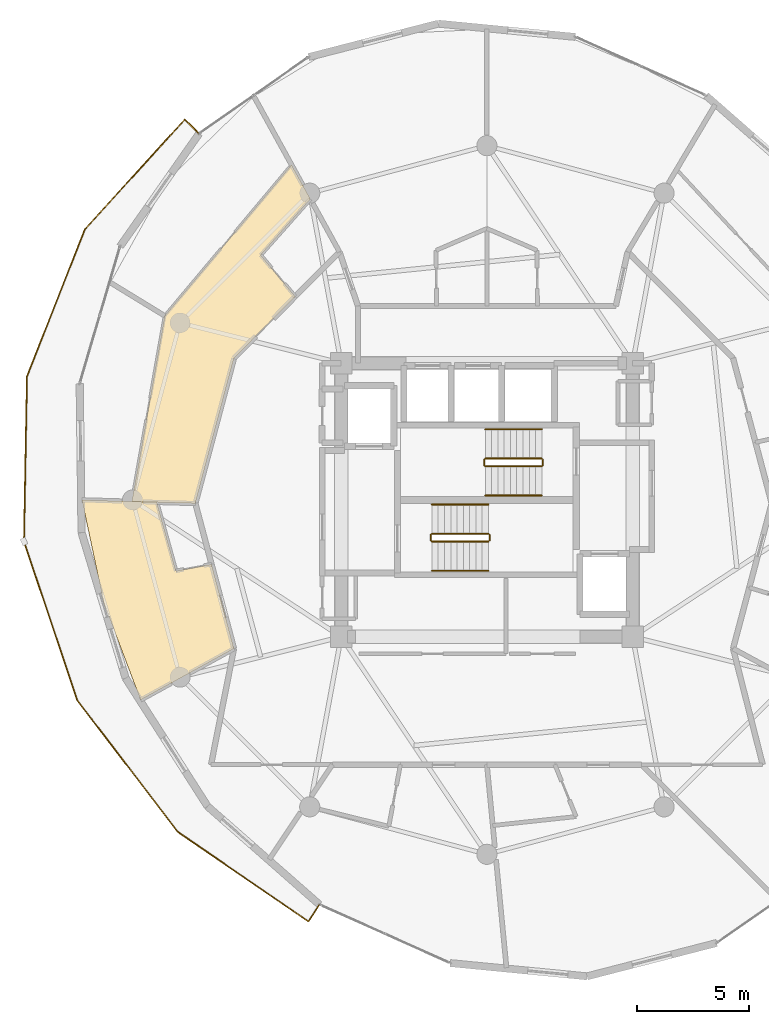
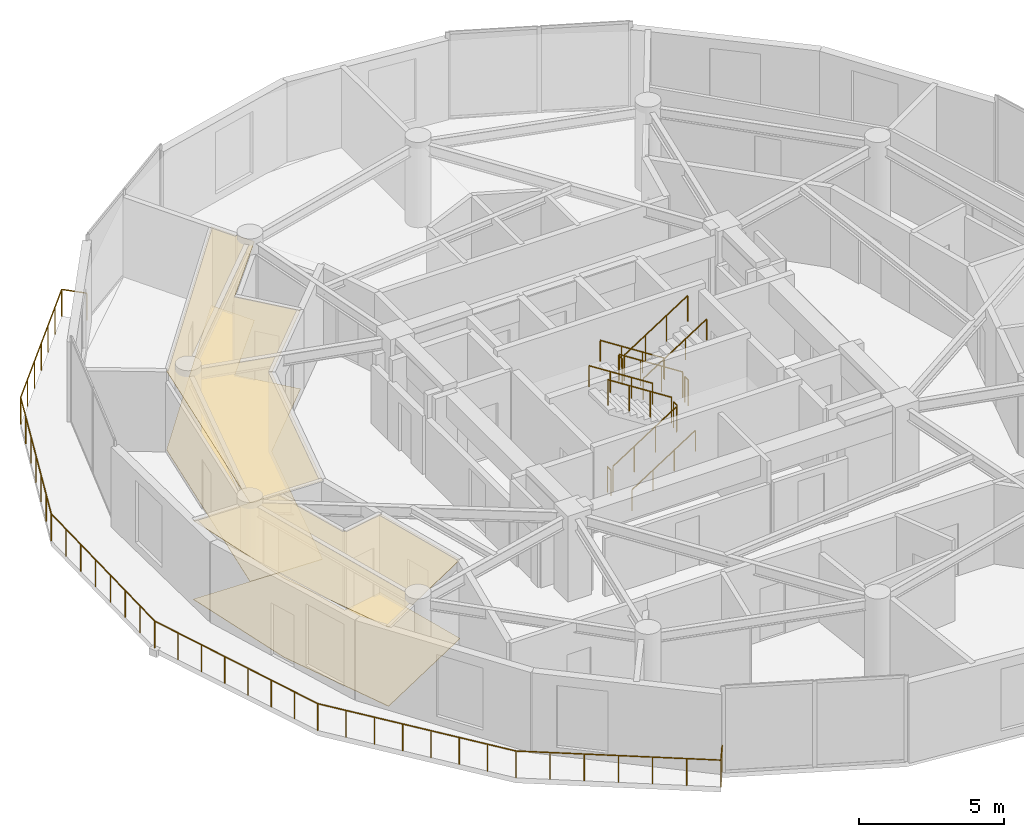
# One storey, part 20 of 21: 13 railings, 4 coverings.
"""IFC4 building model written with IfcOpenShell, lengths in metres."""

from ifc_helpers import new_model, si_unit, direction, frame, origin, origin_2d, place, context, subcontext, project, spatial, polyline, circle, outline, extrude, material, layer, layer_set, type_object, element, save


model = new_model("IFC4")

# Units and contexts
model_context = context("Model", 3, precision=1e-05, world=origin(), true_north=direction((0.0, 1.0)))
body_context = subcontext(model_context, "Body", "Model", "MODEL_VIEW")
ifc_project = project(units=[si_unit("LENGTHUNIT", "METRE"), si_unit("AREAUNIT", "SQUARE_METRE"), si_unit("VOLUMEUNIT", "CUBIC_METRE"), si_unit("PLANEANGLEUNIT", "RADIAN"), si_unit("MASSUNIT", "GRAM", prefix="KILO")], contexts=[model_context])

# Site, building, storey
site_placement = place(None, origin())
site = spatial("IfcSite", under=ifc_project, at=site_placement, CompositionType="ELEMENT")
building_placement = place(site_placement, origin())
building = spatial("IfcBuilding", under=site, at=building_placement, Name="Solvirekh Grand Hotel", CompositionType="ELEMENT")
storey_placement = place(building_placement, frame((0.0, 0.0, 205.60009765625)))
storey = spatial("IfcBuildingStorey", under=building, at=storey_placement, Name="L53", CompositionType="ELEMENT", Elevation=205.60009765625)

# Coverings
ifc_material_1 = material(Name="Acoustic Mineral Ceiling Tile")
ifc_layer_1 = layer(ifc_material_1, 0.02490234375)
ifc_layer_set_1 = layer_set([ifc_layer_1], Name="Acoustic Mineral Ceiling Tile")
covering_type_1 = type_object("IfcCoveringType", Name="Cov_Ceiling_Acoustic", PredefinedType="CEILING", material=ifc_layer_set_1)
covering_1_placement = place(storey_placement, frame((0.0, 0.0, 3.309814453125)))
element("IfcCovering", 1, at=covering_1_placement, inside=storey, type_object=covering_type_1, Name="L53 Executive Suite 5503 Living Room acoustic ceiling", PredefinedType="CEILING", context=body_context, shape_type="SweptSolid", body=[
    extrude(outline(polyline([(-10.090087890625, 10.922119140625), (-7.8720703125, 13.422119140625), (-8.7119140625, 14.947021484375), (-14.364990234375, 8.2119140625), (-15.830078125, -0.06591796875), (-13.0, -0.14990234375), (-11.278076171875, 6.324951171875), (-8.550048828125, 9.073974609375), (-10.090087890625, 10.922119140625)])), origin(), (0.0, 0.0, 1.0), 0.01806640625),
])
covering_2_placement = place(storey_placement, frame((0.0, 0.0, 3.309814453125)))
element("IfcCovering", 2, at=covering_2_placement, inside=storey, type_object=covering_type_1, Name="L53 Deluxe Guestroom 5504 acoustic ceiling", PredefinedType="CEILING", context=body_context, shape_type="SweptSolid", body=[
    extrude(outline(polyline([(-13.867919921875, -3.1669921875), (-14.718017578125, -0.09912109375), (-18.052978515625, 0.0), (-17.0859375, -4.577880859375), (-15.44091796875, -8.9150390625), (-11.278076171875, -6.625), (-12.277099609375, -2.868896484375), (-13.867919921875, -3.1669921875)])), origin(), (0.0, 0.0, 1.0), 0.01806640625),
])
ifc_material_2 = material(Name="Porcelain Stoneware Flooring", Category="masonry")
ifc_layer_2 = layer(ifc_material_2, 0.030029296875)
ifc_layer_set_2 = layer_set([ifc_layer_2], Name="Porcelain Stoneware Flooring")
covering_type_2 = type_object("IfcCoveringType", Name="Cov_Floor_Stone", PredefinedType="FLOORING", material=ifc_layer_set_2)
covering_3_placement = place(storey_placement, origin())
element("IfcCovering", 3, at=covering_3_placement, inside=storey, type_object=covering_type_2, Name="L53 Executive Suite 5503 Living Room polished granite flooring", PredefinedType="FLOORING", context=body_context, shape_type="SweptSolid", body=[
    extrude(outline(polyline([(-10.090087890625, 10.922119140625), (-7.8720703125, 13.422119140625), (-8.7119140625, 14.947021484375), (-14.364990234375, 8.2119140625), (-15.830078125, -0.06591796875), (-13.0, -0.14990234375), (-11.278076171875, 6.324951171875), (-8.550048828125, 9.073974609375), (-10.090087890625, 10.922119140625)])), origin(), (0.0, 0.0, 1.0), 0.02001953125),
])
covering_4_placement = place(storey_placement, origin())
element("IfcCovering", 4, at=covering_4_placement, inside=storey, type_object=covering_type_2, Name="L53 Deluxe Guestroom 5504 polished granite flooring", PredefinedType="FLOORING", context=body_context, shape_type="SweptSolid", body=[
    extrude(outline(polyline([(-13.867919921875, -3.1669921875), (-14.718017578125, -0.09912109375), (-18.052978515625, 0.0), (-17.0859375, -4.577880859375), (-15.44091796875, -8.9150390625), (-11.278076171875, -6.625), (-12.277099609375, -2.868896484375), (-13.867919921875, -3.1669921875)])), origin(), (0.0, 0.0, 1.0), 0.02001953125),
])

# Railings
ifc_material_3 = material(Name="Anodized Bronze Aluminium 6063-T6", Category="aluminium")
railing_type_1 = type_object("IfcRailingType", Name="Guard_ExtGlass_1150", PredefinedType="BALUSTRADE", material=ifc_material_3)
railing_1_placement = place(storey_placement, frame((-12.833984375, 16.3349609375, 0.0)))
element("IfcRailing", 5, at=railing_1_placement, inside=storey, type_object=railing_type_1, Name="L53 balc perimeter glass balustrade", PredefinedType="BALUSTRADE", context=body_context, shape_type="SweptSolid", body=[
    extrude(circle(Radius=0.02392578125, at=origin_2d()), frame((0.0, 0.0, 1.1259765625), z_axis=(-0.708191714874, 0.706020180295, 0.0), x_axis=(-0.706020180295, -0.708191714874, 0.0)), (0.0, 0.0, 1.0), 0.8994140625),
    extrude(circle(Radius=0.02392578125, at=origin_2d()), frame((-0.636962890625, 0.635009765625, 1.1259765625), z_axis=(-0.673061392528, -0.739586615542, 0.0), x_axis=(0.739586615542, -0.673061392528, 0.0)), (0.0, 0.0, 1.0), 6.6279296875),
    extrude(circle(Radius=0.02392578125, at=origin_2d()), frame((-5.097900390625, -4.266845703125, 1.1259765625), z_axis=(-0.3654756856, -0.930820886763, 0.0), x_axis=(0.930820886763, -0.3654756856, 0.0)), (0.0, 0.0, 1.0), 7.05419921875),
    extrude(circle(Radius=0.02392578125, at=origin_2d()), frame((-7.676025390625, -10.8330078125, 1.1259765625), z_axis=(-0.018222855008, -0.999833949991, 0.0), x_axis=(0.999833949991, -0.018222855008, 0.0)), (0.0, 0.0, 1.0), 7.355224609375),
    extrude(circle(Radius=0.02392578125, at=origin_2d()), frame((-7.81005859375, -18.18701171875, 1.1259765625), z_axis=(0.318411947181, -0.947952441788, 0.0), x_axis=(0.947952441788, 0.318411947181, 0.0)), (0.0, 0.0, 1.0), 7.47509765625),
    extrude(circle(Radius=0.02392578125, at=origin_2d()), frame((-5.429931640625, -25.27294921875, 1.1259765625), z_axis=(0.607296576721, -0.794475215411, 0.0), x_axis=(0.794475215411, 0.607296576721, 0.0)), (0.0, 0.0, 1.0), 7.37841796875),
    extrude(circle(Radius=0.02392578125, at=origin_2d()), frame((-0.948974609375, -31.135009765625, 1.1259765625), z_axis=(0.824675444884, -0.56560623282, 0.0), x_axis=(0.56560623282, 0.824675444884, 0.0)), (0.0, 0.0, 1.0), 7.06689453125),
    extrude(circle(Radius=0.02392578125, at=origin_2d()), frame((4.87890625, -35.132080078125, 1.1259765625), z_axis=(0.542306055523, 0.840181017486, 0.0), x_axis=(-0.840181017486, 0.542306055523, 0.0)), (0.0, 0.0, 1.0), 0.89990234375),
    extrude(circle(Radius=0.02099609375, at=origin_2d()), origin(), (0.0, 0.0, 1.0), 1.101806640625),
    extrude(circle(Radius=0.02099609375, at=origin_2d()), frame((-0.636962890625, 0.635009765625, 0.0)), (0.0, 0.0, 1.0), 1.101806640625),
    extrude(circle(Radius=0.02099609375, at=origin_2d()), frame((-1.38037109375, -0.181884765625, 0.0)), (0.0, 0.0, 1.0), 1.101806640625),
    extrude(circle(Radius=0.02099609375, at=origin_2d()), frame((-2.1240234375, -0.9990234375, 0.0)), (0.0, 0.0, 1.0), 1.101806640625),
    extrude(circle(Radius=0.02099609375, at=origin_2d()), frame((-2.867431640625, -1.81591796875, 0.0)), (0.0, 0.0, 1.0), 1.101806640625),
    extrude(circle(Radius=0.02099609375, at=origin_2d()), frame((-3.61083984375, -2.6328125, 0.0)), (0.0, 0.0, 1.0), 1.101806640625),
    extrude(circle(Radius=0.02099609375, at=origin_2d()), frame((-4.3544921875, -3.449951171875, 0.0)), (0.0, 0.0, 1.0), 1.101806640625),
    extrude(circle(Radius=0.02099609375, at=origin_2d()), frame((-5.097900390625, -4.266845703125, 0.0)), (0.0, 0.0, 1.0), 1.101806640625),
    extrude(circle(Radius=0.02099609375, at=origin_2d()), frame((-5.527587890625, -5.361328125, 0.0)), (0.0, 0.0, 1.0), 1.101806640625),
    extrude(circle(Radius=0.02099609375, at=origin_2d()), frame((-5.957275390625, -6.45556640625, 0.0)), (0.0, 0.0, 1.0), 1.101806640625),
    extrude(circle(Radius=0.02099609375, at=origin_2d()), frame((-6.386962890625, -7.5498046875, 0.0)), (0.0, 0.0, 1.0), 1.101806640625),
    extrude(circle(Radius=0.02099609375, at=origin_2d()), frame((-6.816650390625, -8.644287109375, 0.0)), (0.0, 0.0, 1.0), 1.101806640625),
    extrude(circle(Radius=0.02099609375, at=origin_2d()), frame((-7.246337890625, -9.73876953125, 0.0)), (0.0, 0.0, 1.0), 1.101806640625),
    extrude(circle(Radius=0.02099609375, at=origin_2d()), frame((-7.676025390625, -10.8330078125, 0.0)), (0.0, 0.0, 1.0), 1.101806640625),
    extrude(circle(Radius=0.02099609375, at=origin_2d()), frame((-7.695068359375, -11.883544921875, 0.0)), (0.0, 0.0, 1.0), 1.101806640625),
    extrude(circle(Radius=0.02099609375, at=origin_2d()), frame((-7.71435546875, -12.93408203125, 0.0)), (0.0, 0.0, 1.0), 1.101806640625),
    extrude(circle(Radius=0.02099609375, at=origin_2d()), frame((-7.7333984375, -13.984619140625, 0.0)), (0.0, 0.0, 1.0), 1.101806640625),
    extrude(circle(Radius=0.02099609375, at=origin_2d()), frame((-7.752685546875, -15.035400390625, 0.0)), (0.0, 0.0, 1.0), 1.101806640625),
    extrude(circle(Radius=0.02099609375, at=origin_2d()), frame((-7.771728515625, -16.0859375, 0.0)), (0.0, 0.0, 1.0), 1.101806640625),
    extrude(circle(Radius=0.02099609375, at=origin_2d()), frame((-7.791015625, -17.136474609375, 0.0)), (0.0, 0.0, 1.0), 1.101806640625),
    extrude(circle(Radius=0.02099609375, at=origin_2d()), frame((-7.81005859375, -18.18701171875, 0.0)), (0.0, 0.0, 1.0), 1.101806640625),
    extrude(circle(Radius=0.02099609375, at=origin_2d()), frame((-7.469970703125, -19.19921875, 0.0)), (0.0, 0.0, 1.0), 1.101806640625),
    extrude(circle(Radius=0.02099609375, at=origin_2d()), frame((-7.130126953125, -20.211669921875, 0.0)), (0.0, 0.0, 1.0), 1.101806640625),
    extrude(circle(Radius=0.02099609375, at=origin_2d()), frame((-6.7900390625, -21.223876953125, 0.0)), (0.0, 0.0, 1.0), 1.101806640625),
    extrude(circle(Radius=0.02099609375, at=origin_2d()), frame((-6.449951171875, -22.236083984375, 0.0)), (0.0, 0.0, 1.0), 1.101806640625),
    extrude(circle(Radius=0.02099609375, at=origin_2d()), frame((-6.10986328125, -23.248291015625, 0.0)), (0.0, 0.0, 1.0), 1.101806640625),
    extrude(circle(Radius=0.02099609375, at=origin_2d()), frame((-5.77001953125, -24.2607421875, 0.0)), (0.0, 0.0, 1.0), 1.101806640625),
    extrude(circle(Radius=0.02099609375, at=origin_2d()), frame((-5.429931640625, -25.27294921875, 0.0)), (0.0, 0.0, 1.0), 1.101806640625),
    extrude(circle(Radius=0.02099609375, at=origin_2d()), frame((-4.789794921875, -26.1103515625, 0.0)), (0.0, 0.0, 1.0), 1.101806640625),
    extrude(circle(Radius=0.02099609375, at=origin_2d()), frame((-4.149658203125, -26.94775390625, 0.0)), (0.0, 0.0, 1.0), 1.101806640625),
    extrude(circle(Radius=0.02099609375, at=origin_2d()), frame((-3.509521484375, -27.78515625, 0.0)), (0.0, 0.0, 1.0), 1.101806640625),
    extrude(circle(Radius=0.02099609375, at=origin_2d()), frame((-2.869384765625, -28.622802734375, 0.0)), (0.0, 0.0, 1.0), 1.101806640625),
    extrude(circle(Radius=0.02099609375, at=origin_2d()), frame((-2.229248046875, -29.460205078125, 0.0)), (0.0, 0.0, 1.0), 1.101806640625),
    extrude(circle(Radius=0.02099609375, at=origin_2d()), frame((-1.589111328125, -30.297607421875, 0.0)), (0.0, 0.0, 1.0), 1.101806640625),
    extrude(circle(Radius=0.02099609375, at=origin_2d()), frame((-0.948974609375, -31.135009765625, 0.0)), (0.0, 0.0, 1.0), 1.101806640625),
    extrude(circle(Radius=0.02099609375, at=origin_2d()), frame((0.0224609375, -31.80126953125, 0.0)), (0.0, 0.0, 1.0), 1.101806640625),
    extrude(circle(Radius=0.02099609375, at=origin_2d()), frame((0.99365234375, -32.46728515625, 0.0)), (0.0, 0.0, 1.0), 1.101806640625),
    extrude(circle(Radius=0.02099609375, at=origin_2d()), frame((1.96484375, -33.133544921875, 0.0)), (0.0, 0.0, 1.0), 1.101806640625),
    extrude(circle(Radius=0.02099609375, at=origin_2d()), frame((2.936279296875, -33.7998046875, 0.0)), (0.0, 0.0, 1.0), 1.101806640625),
    extrude(circle(Radius=0.02099609375, at=origin_2d()), frame((3.90771484375, -34.4658203125, 0.0)), (0.0, 0.0, 1.0), 1.101806640625),
    extrude(circle(Radius=0.02099609375, at=origin_2d()), frame((4.87890625, -35.132080078125, 0.0)), (0.0, 0.0, 1.0), 1.101806640625),
    extrude(circle(Radius=0.02099609375, at=origin_2d()), frame((5.366943359375, -34.3759765625, 0.0)), (0.0, 0.0, 1.0), 1.101806640625),
])
ifc_material_4 = material(Name="Steel S355", Category="steel")
railing_type_2 = type_object("IfcRailingType", Name="Guard_Stair_1100", PredefinedType="GUARDRAIL", material=ifc_material_4)
railing_2_placement = place(storey_placement, frame((-2.449951171875, -1.85009765625, 0.179931640625)))
element("IfcRailing", 6, at=railing_2_placement, inside=storey, type_object=railing_type_2, Name="L53 ST-1 stair guard 1", PredefinedType="GUARDRAIL", context=body_context, shape_type="SweptSolid", body=[
    extrude(circle(Radius=0.02392578125, at=origin_2d()), frame((0.0, 0.0, 1.076171875), z_axis=(0.841199657755, 0.0, 0.540724639528), x_axis=(0.0, 1.0, 0.0)), (0.0, 0.0, 1.0), 2.995849609375),
    extrude(circle(Radius=0.02099609375, at=origin_2d()), origin(), (0.0, 0.0, 1.0), 1.052001953125),
    extrude(circle(Radius=0.02099609375, at=origin_2d()), frame((0.840087890625, 0.0, 0.5400390625)), (0.0, 0.0, 1.0), 1.052001953125),
    extrude(circle(Radius=0.02099609375, at=origin_2d()), frame((1.679931640625, 0.0, 1.079833984375)), (0.0, 0.0, 1.0), 1.052001953125),
    extrude(circle(Radius=0.02099609375, at=origin_2d()), frame((2.52001953125, 0.0, 1.619873046875)), (0.0, 0.0, 1.0), 1.052001953125),
])
railing_3_placement = place(storey_placement, frame((0.1201171875, -1.800048828125, 1.7998046875)))
element("IfcRailing", 7, at=railing_3_placement, inside=storey, type_object=railing_type_2, Name="L53 ST-1 stair guard 2", PredefinedType="GUARDRAIL", context=body_context, shape_type="SweptSolid", body=[
    extrude(circle(Radius=0.02392578125, at=origin_2d()), frame((0.0, 0.0, 1.076171875), z_axis=(0.0, 1.0, 0.0), x_axis=(-1.0, 0.0, 0.0)), (0.0, 0.0, 1.0), 0.25),
    extrude(circle(Radius=0.02099609375, at=origin_2d()), origin(), (0.0, 0.0, 1.0), 1.052001953125),
    extrude(circle(Radius=0.02099609375, at=origin_2d()), frame((0.0, 0.25, 0.0)), (0.0, 0.0, 1.0), 1.052001953125),
])
railing_4_placement = place(storey_placement, frame((0.070068359375, -1.5, 1.97998046875)))
element("IfcRailing", 8, at=railing_4_placement, inside=storey, type_object=railing_type_2, Name="L53 ST-1 stair guard 3", PredefinedType="GUARDRAIL", context=body_context, shape_type="SweptSolid", body=[
    extrude(circle(Radius=0.02392578125, at=origin_2d()), frame((0.0, 0.0, 1.076171875), z_axis=(-0.841199657755, 0.0, 0.540724639528), x_axis=(0.0, -1.0, 0.0)), (0.0, 0.0, 1.0), 2.995849609375),
    extrude(circle(Radius=0.02099609375, at=origin_2d()), origin(), (0.0, 0.0, 1.0), 1.052001953125),
    extrude(circle(Radius=0.02099609375, at=origin_2d()), frame((-0.840087890625, 0.0, 0.5400390625)), (0.0, 0.0, 1.0), 1.052001953125),
    extrude(circle(Radius=0.02099609375, at=origin_2d()), frame((-1.679931640625, 0.0, 1.079833984375)), (0.0, 0.0, 1.0), 1.052001953125),
    extrude(circle(Radius=0.02099609375, at=origin_2d()), frame((-2.52001953125, 0.0, 1.619873046875)), (0.0, 0.0, 1.0), 1.052001953125),
])
railing_5_placement = place(storey_placement, frame((-2.5, -1.800048828125, 0.0)))
element("IfcRailing", 9, at=railing_5_placement, inside=storey, type_object=railing_type_2, Name="L53 ST-1 stair guard 4", PredefinedType="GUARDRAIL", context=body_context, shape_type="SweptSolid", body=[
    extrude(circle(Radius=0.02392578125, at=origin_2d()), frame((0.0, 0.0, 1.076171875), z_axis=(0.0, 1.0, 0.0), x_axis=(-1.0, 0.0, 0.0)), (0.0, 0.0, 1.0), 0.25),
    extrude(circle(Radius=0.02099609375, at=origin_2d()), origin(), (0.0, 0.0, 1.0), 1.052001953125),
    extrude(circle(Radius=0.02099609375, at=origin_2d()), frame((0.0, 0.25, 0.0)), (0.0, 0.0, 1.0), 1.052001953125),
])
railing_6_placement = place(storey_placement, frame((2.449951171875, 1.85009765625, 0.179931640625)))
element("IfcRailing", 10, at=railing_6_placement, inside=storey, type_object=railing_type_2, Name="L53 ST-2 stair guard 1", PredefinedType="GUARDRAIL", context=body_context, shape_type="SweptSolid", body=[
    extrude(circle(Radius=0.02392578125, at=origin_2d()), frame((0.0, 0.0, 1.076171875), z_axis=(-0.841199657755, 0.0, 0.540724639528), x_axis=(0.0, -1.0, 0.0)), (0.0, 0.0, 1.0), 2.995849609375),
    extrude(circle(Radius=0.02099609375, at=origin_2d()), origin(), (0.0, 0.0, 1.0), 1.052001953125),
    extrude(circle(Radius=0.02099609375, at=origin_2d()), frame((-0.840087890625, 0.0, 0.5400390625)), (0.0, 0.0, 1.0), 1.052001953125),
    extrude(circle(Radius=0.02099609375, at=origin_2d()), frame((-1.679931640625, 0.0, 1.079833984375)), (0.0, 0.0, 1.0), 1.052001953125),
    extrude(circle(Radius=0.02099609375, at=origin_2d()), frame((-2.52001953125, 0.0, 1.619873046875)), (0.0, 0.0, 1.0), 1.052001953125),
])
railing_7_placement = place(storey_placement, frame((-0.1201171875, 1.800048828125, 1.7998046875)))
element("IfcRailing", 11, at=railing_7_placement, inside=storey, type_object=railing_type_2, Name="L53 ST-2 stair guard 2", PredefinedType="GUARDRAIL", context=body_context, shape_type="SweptSolid", body=[
    extrude(circle(Radius=0.02392578125, at=origin_2d()), frame((0.0, 0.0, 1.076171875), z_axis=(0.0, -1.0, 0.0), x_axis=(1.0, 0.0, 0.0)), (0.0, 0.0, 1.0), 0.25),
    extrude(circle(Radius=0.02099609375, at=origin_2d()), origin(), (0.0, 0.0, 1.0), 1.052001953125),
    extrude(circle(Radius=0.02099609375, at=origin_2d()), frame((0.0, -0.25, 0.0)), (0.0, 0.0, 1.0), 1.052001953125),
])
railing_8_placement = place(storey_placement, frame((-0.070068359375, 1.5, 1.97998046875)))
element("IfcRailing", 12, at=railing_8_placement, inside=storey, type_object=railing_type_2, Name="L53 ST-2 stair guard 3", PredefinedType="GUARDRAIL", context=body_context, shape_type="SweptSolid", body=[
    extrude(circle(Radius=0.02392578125, at=origin_2d()), frame((0.0, 0.0, 1.076171875), z_axis=(0.841199657755, 0.0, 0.540724639528), x_axis=(0.0, 1.0, 0.0)), (0.0, 0.0, 1.0), 2.995849609375),
    extrude(circle(Radius=0.02099609375, at=origin_2d()), origin(), (0.0, 0.0, 1.0), 1.052001953125),
    extrude(circle(Radius=0.02099609375, at=origin_2d()), frame((0.840087890625, 0.0, 0.5400390625)), (0.0, 0.0, 1.0), 1.052001953125),
    extrude(circle(Radius=0.02099609375, at=origin_2d()), frame((1.679931640625, 0.0, 1.079833984375)), (0.0, 0.0, 1.0), 1.052001953125),
    extrude(circle(Radius=0.02099609375, at=origin_2d()), frame((2.52001953125, 0.0, 1.619873046875)), (0.0, 0.0, 1.0), 1.052001953125),
])
railing_9_placement = place(storey_placement, frame((2.5, 1.800048828125, 0.0)))
element("IfcRailing", 13, at=railing_9_placement, inside=storey, type_object=railing_type_2, Name="L53 ST-2 stair guard 4", PredefinedType="GUARDRAIL", context=body_context, shape_type="SweptSolid", body=[
    extrude(circle(Radius=0.02392578125, at=origin_2d()), frame((0.0, 0.0, 1.076171875), z_axis=(0.0, -1.0, 0.0), x_axis=(1.0, 0.0, 0.0)), (0.0, 0.0, 1.0), 0.25),
    extrude(circle(Radius=0.02099609375, at=origin_2d()), origin(), (0.0, 0.0, 1.0), 1.052001953125),
    extrude(circle(Radius=0.02099609375, at=origin_2d()), frame((0.0, -0.25, 0.0)), (0.0, 0.0, 1.0), 1.052001953125),
])
railing_type_3 = type_object("IfcRailingType", Name="Handrail_Wall_900", PredefinedType="HANDRAIL", material=ifc_material_3)
railing_10_placement = place(storey_placement, frame((-2.449951171875, -3.14990234375, 0.179931640625)))
element("IfcRailing", 14, at=railing_10_placement, inside=storey, type_object=railing_type_3, Name="L53 ST-1 stair handrail 1", PredefinedType="HANDRAIL", context=body_context, shape_type="SweptSolid", body=[
    extrude(circle(Radius=0.02392578125, at=origin_2d()), frame((0.0, 0.0, 0.8759765625), z_axis=(0.841199657755, 0.0, 0.540724639528), x_axis=(0.0, 1.0, 0.0)), (0.0, 0.0, 1.0), 2.995849609375),
    extrude(circle(Radius=0.02099609375, at=origin_2d()), origin(), (0.0, 0.0, 1.0), 0.851806640625),
    extrude(circle(Radius=0.02099609375, at=origin_2d()), frame((0.840087890625, 0.0, 0.5400390625)), (0.0, 0.0, 1.0), 0.851806640625),
    extrude(circle(Radius=0.02099609375, at=origin_2d()), frame((1.679931640625, 0.0, 1.079833984375)), (0.0, 0.0, 1.0), 0.851806640625),
    extrude(circle(Radius=0.02099609375, at=origin_2d()), frame((2.52001953125, 0.0, 1.619873046875)), (0.0, 0.0, 1.0), 0.851806640625),
])
for number, where, name in (
    (15, (0.070068359375, -0.199951171875, 1.97998046875), "L53 ST-1 stair handrail 2"),
    (16, (2.449951171875, 3.14990234375, 0.179931640625), "L53 ST-2 stair handrail 1"),
):
    element("IfcRailing", number, at=place(storey_placement, frame(where)), inside=storey, type_object=railing_type_3, Name=name, PredefinedType="HANDRAIL", context=body_context, shape_type="SweptSolid", body=[
        extrude(circle(Radius=0.02392578125, at=origin_2d()), frame((0.0, 0.0, 0.8759765625), z_axis=(-0.841199657755, 0.0, 0.540724639528), x_axis=(0.0, -1.0, 0.0)), (0.0, 0.0, 1.0), 2.995849609375),
        extrude(circle(Radius=0.02099609375, at=origin_2d()), origin(), (0.0, 0.0, 1.0), 0.851806640625),
        extrude(circle(Radius=0.02099609375, at=origin_2d()), frame((-0.840087890625, 0.0, 0.5400390625)), (0.0, 0.0, 1.0), 0.851806640625),
        extrude(circle(Radius=0.02099609375, at=origin_2d()), frame((-1.679931640625, 0.0, 1.079833984375)), (0.0, 0.0, 1.0), 0.851806640625),
        extrude(circle(Radius=0.02099609375, at=origin_2d()), frame((-2.52001953125, 0.0, 1.619873046875)), (0.0, 0.0, 1.0), 0.851806640625),
    ])
railing_11_placement = place(storey_placement, frame((-0.070068359375, 0.199951171875, 1.97998046875)))
element("IfcRailing", 17, at=railing_11_placement, inside=storey, type_object=railing_type_3, Name="L53 ST-2 stair handrail 2", PredefinedType="HANDRAIL", context=body_context, shape_type="SweptSolid", body=[
    extrude(circle(Radius=0.02392578125, at=origin_2d()), frame((0.0, 0.0, 0.8759765625), z_axis=(0.841199657755, 0.0, 0.540724639528), x_axis=(0.0, 1.0, 0.0)), (0.0, 0.0, 1.0), 2.995849609375),
    extrude(circle(Radius=0.02099609375, at=origin_2d()), origin(), (0.0, 0.0, 1.0), 0.851806640625),
    extrude(circle(Radius=0.02099609375, at=origin_2d()), frame((0.840087890625, 0.0, 0.5400390625)), (0.0, 0.0, 1.0), 0.851806640625),
    extrude(circle(Radius=0.02099609375, at=origin_2d()), frame((1.679931640625, 0.0, 1.079833984375)), (0.0, 0.0, 1.0), 0.851806640625),
    extrude(circle(Radius=0.02099609375, at=origin_2d()), frame((2.52001953125, 0.0, 1.619873046875)), (0.0, 0.0, 1.0), 0.851806640625),
])

save(model, "model.ifc")
